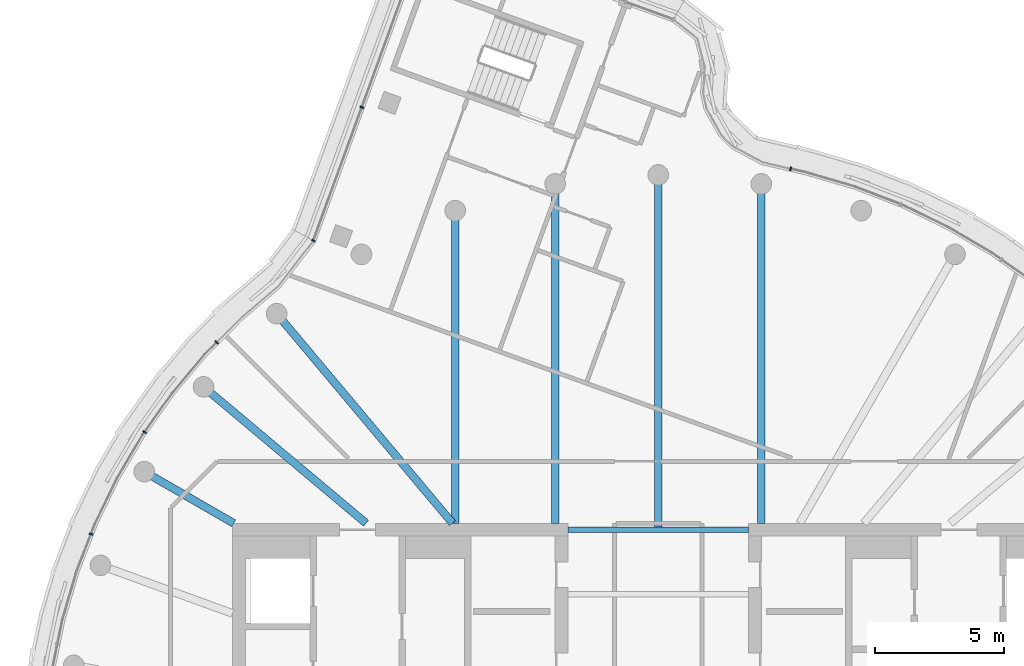
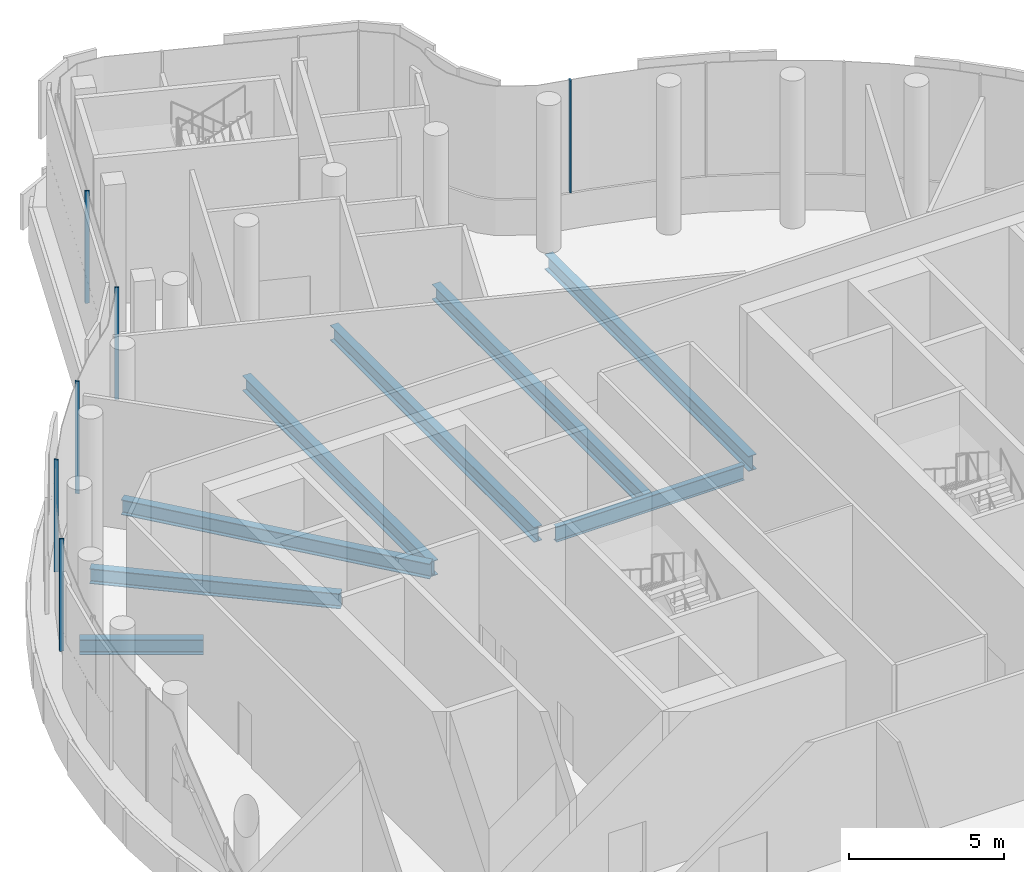
# One storey, part 7 of 18: 8 beams, 6 members, 2 elements without a shape of their own.
"""IFC4 building model written with IfcOpenShell, lengths in metres."""

from ifc_helpers import new_model, si_unit, direction, frame, origin, origin_2d, place, context, subcontext, project, spatial, rectangle, i_section, extrude, material, layer, layer_set, material_profile, profile_set, type_object, element, aggregate, save


model = new_model("IFC4")

# Units and contexts
model_context = context("Model", 3, precision=1e-05, world=origin(), true_north=direction((0.0, 1.0)))
body_context = subcontext(model_context, "Body", "Model", "MODEL_VIEW")
ifc_project = project(units=[si_unit("LENGTHUNIT", "METRE"), si_unit("AREAUNIT", "SQUARE_METRE"), si_unit("VOLUMEUNIT", "CUBIC_METRE"), si_unit("PLANEANGLEUNIT", "RADIAN"), si_unit("MASSUNIT", "GRAM", prefix="KILO")], contexts=[model_context])

# Site, building, storey
site_placement = place(None, origin())
site = spatial("IfcSite", under=ifc_project, at=site_placement, CompositionType="ELEMENT")
building_placement = place(site_placement, origin())
building = spatial("IfcBuilding", under=site, at=building_placement, Name="Tamarind Cross Interchange Tower", CompositionType="ELEMENT")
storey_placement = place(building_placement, frame((0.0, 0.0, 299.39990234375)))
storey = spatial("IfcBuildingStorey", under=building, at=storey_placement, Name="L74", CompositionType="ELEMENT", Elevation=299.39990234375)

# Beams
ifc_material_1 = material(Name="Steel Q355B", Category="steel")
ifc_material_profile_1 = material_profile(ifc_material_1, i_section(OverallWidth=0.302001953125, OverallDepth=0.593994140625, WebThickness=0.013916015625, FlangeThickness=0.02294921875, FilletRadius=0.01806640625, at=origin_2d()), Name="HM 594x302x14x23")
ifc_profile_set_1 = profile_set([ifc_material_profile_1], Name="Steel Q355B")
beam_type_1 = type_object("IfcBeamType", Name="Composite beam HM 594x302x14x23 Q355B", PredefinedType="BEAM", material=ifc_profile_set_1)
beam_1_placement = place(storey_placement, frame((3.993896484375, 22.650634765625, -0.546875), z_axis=(0.0, -1.0, 0.0), x_axis=(1.0, 0.0, 0.0)))
element("IfcBeam", 1, at=beam_1_placement, inside=storey, type_object=beam_type_1, Name="Beam HH08", PredefinedType="BEAM", context=body_context, shape_type="SweptSolid", body=[
    extrude(i_section(OverallWidth=0.302001953125, OverallDepth=0.593994140625, WebThickness=0.013916015625, FlangeThickness=0.02294921875, FilletRadius=0.01806640625, at=origin_2d()), origin(), (0.0, 0.0, 1.0), 13.150634765625),
])
beam_2_placement = place(storey_placement, frame((0.0, 23.0, -0.546875), z_axis=(0.0, -1.0, 0.0), x_axis=(1.0, 0.0, 0.0)))
element("IfcBeam", 2, at=beam_2_placement, inside=storey, type_object=beam_type_1, Name="Beam HH09", PredefinedType="BEAM", context=body_context, shape_type="SweptSolid", body=[
    extrude(i_section(OverallWidth=0.302001953125, OverallDepth=0.593994140625, WebThickness=0.013916015625, FlangeThickness=0.02294921875, FilletRadius=0.01806640625, at=origin_2d()), origin(), (0.0, 0.0, 1.0), 13.75),
])
beam_3_placement = place(storey_placement, frame((-3.993896484375, 22.650634765625, -0.546875), z_axis=(0.0, -1.0, 0.0), x_axis=(1.0, 0.0, 0.0)))
element("IfcBeam", 3, at=beam_3_placement, inside=storey, type_object=beam_type_1, Name="Beam HH10", PredefinedType="BEAM", context=body_context, shape_type="SweptSolid", body=[
    extrude(i_section(OverallWidth=0.302001953125, OverallDepth=0.593994140625, WebThickness=0.013916015625, FlangeThickness=0.02294921875, FilletRadius=0.01806640625, at=origin_2d()), origin(), (0.0, 0.0, 1.0), 13.150634765625),
])
beam_4_placement = place(storey_placement, frame((-7.866455078125, 21.613037109375, -0.546875), z_axis=(0.0, -1.0, 0.0), x_axis=(1.0, 0.0, 0.0)))
element("IfcBeam", 4, at=beam_4_placement, inside=storey, type_object=beam_type_1, Name="Beam HH11", PredefinedType="BEAM", context=body_context, shape_type="SweptSolid", body=[
    extrude(i_section(OverallWidth=0.302001953125, OverallDepth=0.593994140625, WebThickness=0.013916015625, FlangeThickness=0.02294921875, FilletRadius=0.01806640625, at=origin_2d()), origin(), (0.0, 0.0, 1.0), 12.113037109375),
])
beam_5_placement = place(storey_placement, frame((-14.7841796875, 17.619140625, -0.546875), z_axis=(0.642786293979, -0.766045547127, 0.0), x_axis=(0.766045547127, 0.642786293979, 0.0)))
element("IfcBeam", 5, at=beam_5_placement, inside=storey, type_object=beam_type_1, Name="Beam HH13", PredefinedType="BEAM", context=body_context, shape_type="SweptSolid", body=[
    extrude(i_section(OverallWidth=0.302001953125, OverallDepth=0.593994140625, WebThickness=0.013916015625, FlangeThickness=0.02294921875, FilletRadius=0.01806640625, at=origin_2d()), origin(), (0.0, 0.0, 1.0), 10.598876953125),
])
beam_6_placement = place(storey_placement, frame((-17.619140625, 14.7841796875, -0.546875), z_axis=(0.766040580814, -0.642792212574, 0.0), x_axis=(0.642792212574, 0.766040580814, 0.0)))
element("IfcBeam", 6, at=beam_6_placement, inside=storey, type_object=beam_type_1, Name="Beam HH14", PredefinedType="BEAM", context=body_context, shape_type="SweptSolid", body=[
    extrude(i_section(OverallWidth=0.302001953125, OverallDepth=0.593994140625, WebThickness=0.013916015625, FlangeThickness=0.02294921875, FilletRadius=0.01806640625, at=origin_2d()), origin(), (0.0, 0.0, 1.0), 8.220703125),
])
beam_7_placement = place(storey_placement, frame((-19.918701171875, 11.5, -0.546875), z_axis=(0.866026010844, -0.49999894854, 0.0), x_axis=(0.49999894854, 0.866026010844, 0.0)))
element("IfcBeam", 7, at=beam_7_placement, inside=storey, type_object=beam_type_1, Name="Beam HH15", PredefinedType="BEAM", context=body_context, shape_type="SweptSolid", body=[
    extrude(i_section(OverallWidth=0.302001953125, OverallDepth=0.593994140625, WebThickness=0.013916015625, FlangeThickness=0.02294921875, FilletRadius=0.01806640625, at=origin_2d()), origin(), (0.0, 0.0, 1.0), 4.0),
])
ifc_material_profile_2 = material_profile(ifc_material_1, i_section(OverallWidth=0.198974609375, OverallDepth=0.595947265625, WebThickness=0.010009765625, FlangeThickness=0.014892578125, FilletRadius=0.012939453125, at=origin_2d()), Name="HN 596x199x10x15")
ifc_profile_set_2 = profile_set([ifc_material_profile_2], Name="Steel Q355B")
beam_type_2 = type_object("IfcBeamType", Name="Composite beam HN 596x199x10x15 Q355B", PredefinedType="BEAM", material=ifc_profile_set_2)
beam_8_placement = place(storey_placement, frame((-3.5, 9.25, -0.5478515625), z_axis=(1.0, 0.0, 0.0), x_axis=(0.0, 1.0, 0.0)))
element("IfcBeam", 8, at=beam_8_placement, inside=storey, type_object=beam_type_2, Name="Beam G9.25", PredefinedType="BEAM", context=body_context, shape_type="SweptSolid", body=[
    extrude(i_section(OverallWidth=0.198974609375, OverallDepth=0.595947265625, WebThickness=0.010009765625, FlangeThickness=0.014892578125, FilletRadius=0.012939453125, at=origin_2d()), origin(), (0.0, 0.0, 1.0), 7.0),
])

# Curtain wall, member
ifc_material_2 = material(Name="Aluminium 6063-T6", Category="aluminium")
ifc_layer = layer(ifc_material_2, 0.14990234375)
ifc_layer_set = layer_set([ifc_layer], Name="Aluminium 6063-T6")
curtain_wall_type = type_object("IfcCurtainWallType", Name="Winter garden and crown curtain wall", PredefinedType="NOTDEFINED", material=ifc_layer_set)
curtain_wall_1_placement = place(storey_placement, origin())
curtain_wall_1 = element("IfcCurtainWall", 9, at=curtain_wall_1_placement, inside=storey, type_object=curtain_wall_type, Name="CWS-L74-01", PredefinedType="NOTDEFINED")
ifc_material_profile_3 = material_profile(ifc_material_2, rectangle(XDim=0.06005859375, YDim=0.14990234375, at=origin_2d()), Name="Mullion CW6")
ifc_profile_set_3 = profile_set([ifc_material_profile_3], Name="Aluminium 6063-T6")
member_type = type_object("IfcMemberType", Name="Mullion CW6", PredefinedType="MULLION", material=ifc_profile_set_3)
member_1_placement = place(storey_placement, frame((-11.48388671875, 25.618896484375, 1.400146484375), z_axis=(0.0, 0.0, 1.0), x_axis=(-0.341993902024, -0.939702171424, 0.0)))
member_1 = element("IfcMember", 10, at=member_1_placement, type_object=member_type, Name="CWM-L74-01-01", PredefinedType="MULLION", context=body_context, shape_type="SweptSolid", body=[
    extrude(rectangle(XDim=0.06005859375, YDim=0.14990234375, at=origin_2d()), origin(), (0.0, 0.0, 1.0), 4.419921875),
])
aggregate(curtain_wall_1, [member_1])

# Curtain wall, members
curtain_wall_2_placement = place(storey_placement, origin())
curtain_wall_2 = element("IfcCurtainWall", 11, at=curtain_wall_2_placement, inside=storey, type_object=curtain_wall_type, Name="CWS-L74-02", PredefinedType="NOTDEFINED")
member_2_placement = place(storey_placement, frame((-13.364990234375, 20.449951171875, 1.400146484375), z_axis=(0.0, 0.0, 1.0), x_axis=(-0.481321570929, -0.876544092079, 0.0)))
member_2 = element("IfcMember", 12, at=member_2_placement, type_object=member_type, Name="CWM-L74-02-00", PredefinedType="MULLION", context=body_context, shape_type="SweptSolid", body=[
    extrude(rectangle(XDim=0.06005859375, YDim=0.14990234375, at=origin_2d()), origin(), (0.0, 0.0, 1.0), 4.419921875),
])
member_3_placement = place(storey_placement, frame((-17.11279296875, 16.508544921875, 1.400146484375), z_axis=(0.0, 0.0, 1.0), x_axis=(-0.704057148523, -0.710143317658, 0.0)))
member_3 = element("IfcMember", 13, at=member_3_placement, type_object=member_type, Name="CWM-L74-02-01", PredefinedType="MULLION", context=body_context, shape_type="SweptSolid", body=[
    extrude(rectangle(XDim=0.06005859375, YDim=0.14990234375, at=origin_2d()), origin(), (0.0, 0.0, 1.0), 4.419921875),
])
member_4_placement = place(storey_placement, frame((-19.90478515625, 13.031005859375, 1.400146484375), z_axis=(0.0, 0.0, 1.0), x_axis=(-0.577568978284, -0.816341886298, 0.0)))
member_4 = element("IfcMember", 14, at=member_4_placement, type_object=member_type, Name="CWM-L74-02-02", PredefinedType="MULLION", context=body_context, shape_type="SweptSolid", body=[
    extrude(rectangle(XDim=0.06005859375, YDim=0.14990234375, at=origin_2d()), origin(), (0.0, 0.0, 1.0), 4.419921875),
])
member_5_placement = place(storey_placement, frame((-21.979248046875, 9.08349609375, 1.400146484375), z_axis=(0.0, 0.0, 1.0), x_axis=(-0.359495435512, -0.933146843667, 0.0)))
member_5 = element("IfcMember", 15, at=member_5_placement, type_object=member_type, Name="CWM-L74-02-03", PredefinedType="MULLION", context=body_context, shape_type="SweptSolid", body=[
    extrude(rectangle(XDim=0.06005859375, YDim=0.14990234375, at=origin_2d()), origin(), (0.0, 0.0, 1.0), 4.419921875),
])
member_6_placement = place(storey_placement, frame((5.130126953125, 23.236083984375, 1.400146484375), z_axis=(0.0, 0.0, 1.0), x_axis=(-0.973671785319, 0.227954500887, 0.0)))
member_6 = element("IfcMember", 16, at=member_6_placement, type_object=member_type, Name="CWM-L74-02-29", PredefinedType="MULLION", context=body_context, shape_type="SweptSolid", body=[
    extrude(rectangle(XDim=0.06005859375, YDim=0.14990234375, at=origin_2d()), origin(), (0.0, 0.0, 1.0), 4.419921875),
])
aggregate(curtain_wall_2, [member_2, member_3, member_4, member_5, member_6])

save(model, "model.ifc")
